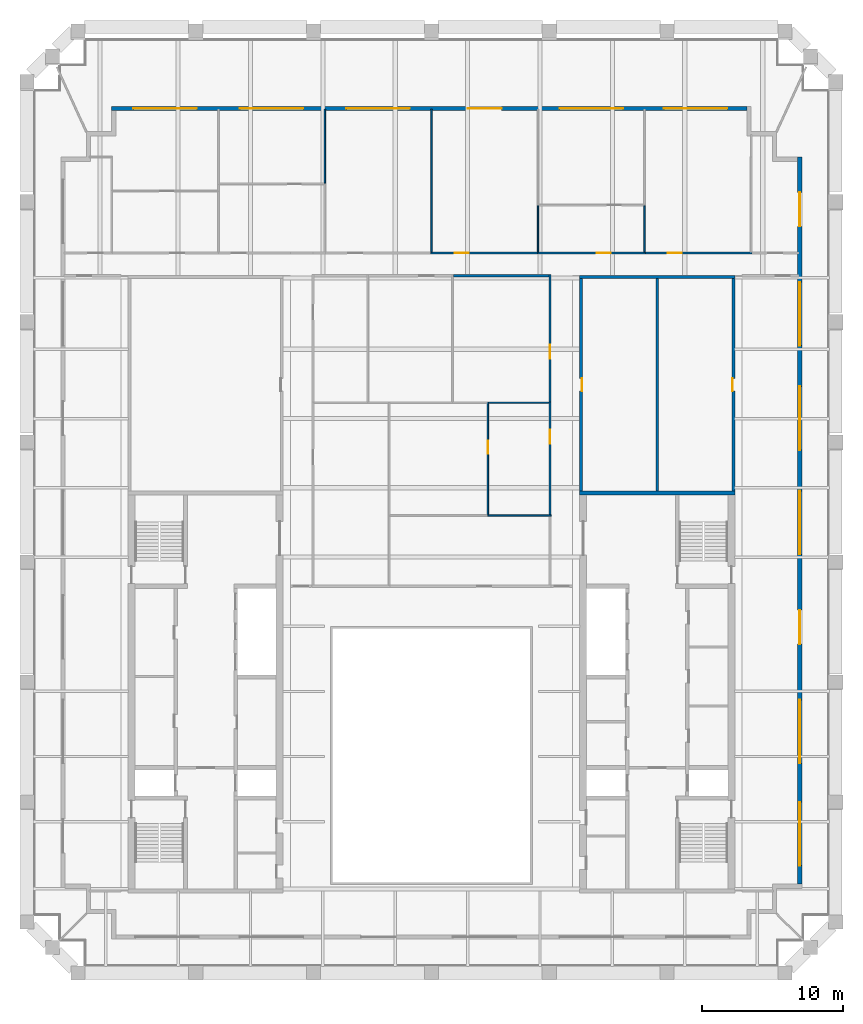
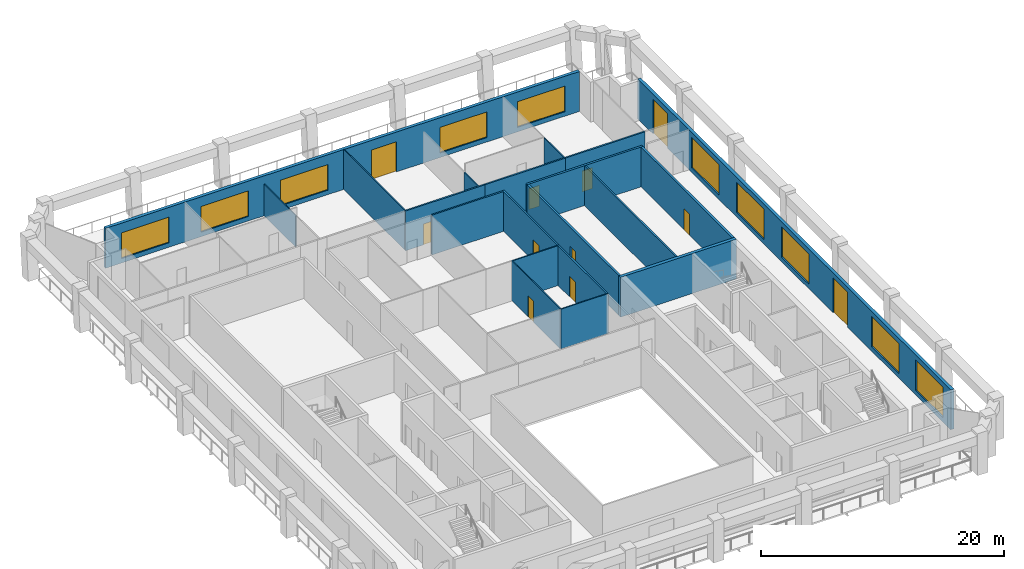
# One storey, part 6 of 8: 20 walls, 11 doors, 10 windows, 21 openings.
"""IFC4 building model written with IfcOpenShell, lengths in metres."""

from ifc_helpers import new_model, si_unit, direction, frame, frame_2d, origin, place, context, subcontext, project, spatial, rectangle, extrude, material, layer, layer_set, type_object, element, fill, save


model = new_model("IFC4")

# Units and contexts
model_context = context("Model", 3, precision=1e-05, world=origin(), true_north=direction((0.0, 1.0)))
body_context = subcontext(model_context, "Body", "Model", "MODEL_VIEW")
ifc_project = project(units=[si_unit("LENGTHUNIT", "METRE"), si_unit("AREAUNIT", "SQUARE_METRE"), si_unit("VOLUMEUNIT", "CUBIC_METRE"), si_unit("PLANEANGLEUNIT", "RADIAN"), si_unit("MASSUNIT", "GRAM", prefix="KILO")], contexts=[model_context])

# Site, building, storey
site_placement = place(None, origin())
site = spatial("IfcSite", under=ifc_project, at=site_placement, CompositionType="ELEMENT")
building_placement = place(site_placement, origin())
building = spatial("IfcBuilding", under=site, at=building_placement, Name="Ogive Exchange Tower", CompositionType="ELEMENT")
storey_placement = place(building_placement, frame((0.0, 0.0, 334.199951171875)))
storey = spatial("IfcBuildingStorey", under=building, at=storey_placement, Name="L73", CompositionType="ELEMENT", Elevation=334.199951171875)

# Wall
ifc_material_1 = material(Name="Gypsum board partition")
ifc_layer_1 = layer(ifc_material_1, 0.14990234375)
ifc_layer_set_1 = layer_set([ifc_layer_1], Name="Core room partition 150 gypsum")
wall_type_1 = type_object("IfcWallType", Name="Core room partition 150 gypsum", PredefinedType="PARTITIONING", material=ifc_layer_set_1)
wall_1_placement = place(storey_placement, frame((16.0, 25.75, 0.0), z_axis=(0.0, 0.0, 1.0), x_axis=(0.0, 1.0, 0.0)))
element("IfcWall", 1, at=wall_1_placement, inside=storey, type_object=wall_type_1, Name="E annex N column wall", PredefinedType="PARTITIONING", context=body_context, shape_type="SweptSolid", body=[
    extrude(rectangle(XDim=15.050048828125, YDim=0.14990234375, at=frame_2d((7.52490234375, 0.0))), origin(), (0.0, 0.0, 1.0), 4.0),
])

# Wall, opening, door
ifc_material_2 = material(Name="Fire partition EI 60 150")
ifc_layer_2 = layer(ifc_material_2, 0.14990234375)
ifc_layer_set_2 = layer_set([ifc_layer_2], Name="Fire partition EI 60 150")
wall_type_2 = type_object("IfcWallType", Name="Fire partition EI 60 150", PredefinedType="PARTITIONING", material=ifc_layer_set_2)
wall_2_placement = place(storey_placement, frame((-0.050048828125, 42.60009765625, 0.0), z_axis=(0.0, 0.0, 1.0), x_axis=(1.0, 0.0, 0.0)))
wall_2 = element("IfcWall", 2, at=wall_2_placement, inside=storey, type_object=wall_type_2, Name="L73-PWL-030", PredefinedType="PARTITIONING", context=body_context, shape_type="SweptSolid", body=[
    extrude(rectangle(XDim=7.550048828125, YDim=0.14990234375, at=frame_2d((3.77490234375, 0.0))), origin(), (0.0, 0.0, 1.0), 4.0),
])
opening_1_placement = place(wall_2_placement, frame((1.699951171875, 0.0, 0.0)))
opening_1 = element("IfcOpeningElement", 3, at=opening_1_placement, cuts=wall_2, Name="Opening L73-I02", PredefinedType="OPENING", context=body_context, shape_type="SweptSolid", body=[
    extrude(rectangle(XDim=1.0, YDim=2.10009765625, at=frame_2d((0.5, 1.050048828125))), frame((0.0, 0.0849609375, 0.0), z_axis=(0.0, -1.0, 0.0), x_axis=(1.0, 0.0, 0.0)), (0.0, 0.0, 1.0), 0.169921875),
])
ifc_material_3 = material(Name="Fire door FD 30S 1000 x 2100")
door_type_1 = type_object("IfcDoorType", Name="Fire door FD 30S 1000 x 2100", OperationType="NOTDEFINED", PredefinedType="DOOR", material=ifc_material_3)
door_1_placement = place(opening_1_placement, origin())
door_1 = element("IfcDoor", 4, at=door_1_placement, inside=storey, type_object=door_type_1, Name="L73-IDR-002", ObjectType="DT3", OperationType="SINGLE_SWING_RIGHT", OverallHeight=2.10009765625, OverallWidth=1.0, PredefinedType="DOOR", context=body_context, shape_type="SweptSolid", body=[
    extrude(rectangle(XDim=1.0, YDim=2.10009765625, at=frame_2d((0.5, 1.050048828125))), frame((0.0, 0.02490234375, 0.0), z_axis=(0.0, -1.0, 0.0), x_axis=(1.0, 0.0, 0.0)), (0.0, 0.0, 1.0), 0.050048828125),
])
fill(opening_1, door_1)

wall_3_placement = place(storey_placement, frame((7.5, 42.60009765625, 0.0), z_axis=(0.0, 0.0, 1.0), x_axis=(1.0, 0.0, 0.0)))
wall_3 = element("IfcWall", 5, at=wall_3_placement, inside=storey, type_object=wall_type_2, Name="L73-PWL-038", PredefinedType="PARTITIONING", context=body_context, shape_type="SweptSolid", body=[
    extrude(rectangle(XDim=7.64990234375, YDim=0.14990234375, at=frame_2d((3.824951171875, 0.0))), origin(), (0.0, 0.0, 1.0), 4.0),
])
opening_2_placement = place(wall_3_placement, frame((4.199951171875, 0.0, 0.0)))
opening_2 = element("IfcOpeningElement", 6, at=opening_2_placement, cuts=wall_3, Name="Opening L73-I04", PredefinedType="OPENING", context=body_context, shape_type="SweptSolid", body=[
    extrude(rectangle(XDim=1.0, YDim=2.10009765625, at=frame_2d((0.5, 1.050048828125))), frame((0.0, 0.0849609375, 0.0), z_axis=(0.0, -1.0, 0.0), x_axis=(1.0, 0.0, 0.0)), (0.0, 0.0, 1.0), 0.169921875),
])
door_2_placement = place(opening_2_placement, origin())
door_2 = element("IfcDoor", 7, at=door_2_placement, inside=storey, type_object=door_type_1, Name="L73-IDR-004", ObjectType="DT3", OperationType="SINGLE_SWING_LEFT", OverallHeight=2.10009765625, OverallWidth=1.0, PredefinedType="DOOR", context=body_context, shape_type="SweptSolid", body=[
    extrude(rectangle(XDim=1.0, YDim=2.10009765625, at=frame_2d((0.5, 1.050048828125))), frame((0.0, 0.02490234375, 0.0), z_axis=(0.0, -1.0, 0.0), x_axis=(1.0, 0.0, 0.0)), (0.0, 0.0, 1.0), 0.050048828125),
])
fill(opening_2, door_2)

wall_4_placement = place(storey_placement, frame((8.39990234375, 24.050048828125, 0.0), z_axis=(0.0, 0.0, 1.0), x_axis=(0.0, 1.0, 0.0)))
wall_4 = element("IfcWall", 8, at=wall_4_placement, inside=storey, type_object=wall_type_2, Name="L73-PWL-042", PredefinedType="PARTITIONING", context=body_context, shape_type="SweptSolid", body=[
    extrude(rectangle(XDim=8.0, YDim=0.14990234375, at=frame_2d((4.0, 0.0))), origin(), (0.0, 0.0, 1.0), 4.0),
])
opening_3_placement = place(wall_4_placement, frame((5.050048828125, 0.0, 0.0)))
opening_3 = element("IfcOpeningElement", 9, at=opening_3_placement, cuts=wall_4, Name="Opening L73-I16", PredefinedType="OPENING", context=body_context, shape_type="SweptSolid", body=[
    extrude(rectangle(XDim=1.0, YDim=2.10009765625, at=frame_2d((0.5, 1.050048828125))), frame((0.0, 0.0849609375, 0.0), z_axis=(0.0, -1.0, 0.0), x_axis=(1.0, 0.0, 0.0)), (0.0, 0.0, 1.0), 0.169921875),
])
door_3_placement = place(opening_3_placement, origin())
door_3 = element("IfcDoor", 10, at=door_3_placement, inside=storey, type_object=door_type_1, Name="L73-IDR-016", ObjectType="DT3", OperationType="SINGLE_SWING_LEFT", OverallHeight=2.10009765625, OverallWidth=1.0, PredefinedType="DOOR", context=body_context, shape_type="SweptSolid", body=[
    extrude(rectangle(XDim=1.0, YDim=2.10009765625, at=frame_2d((0.5, 1.050048828125))), frame((0.0, 0.02490234375, 0.0), z_axis=(0.0, -1.0, 0.0), x_axis=(1.0, 0.0, 0.0)), (0.0, 0.0, 1.0), 0.050048828125),
])
fill(opening_3, door_3)

wall_5_placement = place(storey_placement, frame((8.39990234375, 32.0, 0.0), z_axis=(0.0, 0.0, 1.0), x_axis=(0.0, 1.0, 0.0)))
wall_5 = element("IfcWall", 11, at=wall_5_placement, inside=storey, type_object=wall_type_2, Name="L73-PWL-044", PredefinedType="PARTITIONING", context=body_context, shape_type="SweptSolid", body=[
    extrude(rectangle(XDim=9.074951171875, YDim=0.14990234375, at=frame_2d((4.53759765625, 0.0))), origin(), (0.0, 0.0, 1.0), 4.0),
])
opening_4_placement = place(wall_5_placement, frame((3.10009765625, 0.0, 0.0)))
opening_4 = element("IfcOpeningElement", 12, at=opening_4_placement, cuts=wall_5, Name="Opening L73-I12", PredefinedType="OPENING", context=body_context, shape_type="SweptSolid", body=[
    extrude(rectangle(XDim=1.0, YDim=2.10009765625, at=frame_2d((0.5, 1.050048828125))), frame((0.0, 0.0849609375, 0.0), z_axis=(0.0, -1.0, 0.0), x_axis=(1.0, 0.0, 0.0)), (0.0, 0.0, 1.0), 0.169921875),
])
door_4_placement = place(opening_4_placement, origin())
door_4 = element("IfcDoor", 13, at=door_4_placement, inside=storey, type_object=door_type_1, Name="L73-IDR-012", ObjectType="DT3", OperationType="SINGLE_SWING_RIGHT", OverallHeight=2.10009765625, OverallWidth=1.0, PredefinedType="DOOR", context=body_context, shape_type="SweptSolid", body=[
    extrude(rectangle(XDim=1.0, YDim=2.10009765625, at=frame_2d((0.5, 1.050048828125))), frame((0.0, 0.02490234375, 0.0), z_axis=(0.0, -1.0, 0.0), x_axis=(1.0, 0.0, 0.0)), (0.0, 0.0, 1.0), 0.050048828125),
])
fill(opening_4, door_4)

# Wall
wall_6_placement = place(storey_placement, frame((8.324951171875, 41.0, 0.0), z_axis=(0.0, 0.0, 1.0), x_axis=(-1.0, 0.0, 0.0)))
element("IfcWall", 14, at=wall_6_placement, inside=storey, type_object=wall_type_2, Name="L73-PWL-045", PredefinedType="PARTITIONING", context=body_context, shape_type="SweptSolid", body=[
    extrude(rectangle(XDim=6.77490234375, YDim=0.14990234375, at=frame_2d((3.387451171875, 0.0))), origin(), (0.0, 0.0, 1.0), 4.0),
])

# Wall, opening, door
wall_7_placement = place(storey_placement, frame((15.14990234375, 42.60009765625, 0.0), z_axis=(0.0, 0.0, 1.0), x_axis=(1.0, 0.0, 0.0)))
wall_7 = element("IfcWall", 15, at=wall_7_placement, inside=storey, type_object=wall_type_2, Name="L73-PWL-046", PredefinedType="PARTITIONING", context=body_context, shape_type="SweptSolid", body=[
    extrude(rectangle(XDim=7.550048828125, YDim=0.14990234375, at=frame_2d((3.77490234375, 0.0))), origin(), (0.0, 0.0, 1.0), 4.0),
])
opening_5_placement = place(wall_7_placement, frame((1.60009765625, 0.0, 0.0)))
opening_5 = element("IfcOpeningElement", 16, at=opening_5_placement, cuts=wall_7, Name="Opening L73-I06", PredefinedType="OPENING", context=body_context, shape_type="SweptSolid", body=[
    extrude(rectangle(XDim=1.0, YDim=2.10009765625, at=frame_2d((0.5, 1.050048828125))), frame((0.0, 0.0849609375, 0.0), z_axis=(0.0, -1.0, 0.0), x_axis=(1.0, 0.0, 0.0)), (0.0, 0.0, 1.0), 0.169921875),
])
door_5_placement = place(opening_5_placement, origin())
door_5 = element("IfcDoor", 17, at=door_5_placement, inside=storey, type_object=door_type_1, Name="L73-IDR-006", ObjectType="DT3", OperationType="SINGLE_SWING_RIGHT", OverallHeight=2.10009765625, OverallWidth=1.0, PredefinedType="DOOR", context=body_context, shape_type="SweptSolid", body=[
    extrude(rectangle(XDim=1.0, YDim=2.10009765625, at=frame_2d((0.5, 1.050048828125))), frame((0.0, 0.02490234375, 0.0), z_axis=(0.0, -1.0, 0.0), x_axis=(1.0, 0.0, 0.0)), (0.0, 0.0, 1.0), 0.050048828125),
])
fill(opening_5, door_5)

# Wall, openings, doors, windows
ifc_material_4 = material(Name="Precast concrete C40/50", Category="concrete")
ifc_layer_3 = layer(ifc_material_4, 0.300048828125)
ifc_layer_set_3 = layer_set([ifc_layer_3], Name="Limestone-faced wall 300")
wall_type_3 = type_object("IfcWallType", Name="Limestone-faced wall 300", PredefinedType="STANDARD", material=ifc_layer_set_3)
wall_8_placement = place(storey_placement, frame((26.10009765625, -2.10009765625, 0.0), z_axis=(0.0, 0.0, 1.0), x_axis=(0.0, 1.0, 0.0)))
wall_8 = element("IfcWall", 18, at=wall_8_placement, inside=storey, type_object=wall_type_3, Name="External wall E2", PredefinedType="STANDARD", context=body_context, shape_type="SweptSolid", body=[
    extrude(rectangle(XDim=51.5, YDim=0.300048828125, at=frame_2d((25.75, 0.0))), origin(), (0.0, 0.0, 1.0), 4.0),
])
opening_6_placement = place(wall_8_placement, frame((1.300048828125, 0.0, 0.449951171875)))
opening_6 = element("IfcOpeningElement", 19, at=opening_6_placement, cuts=wall_8, Name="Opening W1", PredefinedType="OPENING", context=body_context, shape_type="SweptSolid", body=[
    extrude(rectangle(XDim=4.5, YDim=3.050048828125, at=frame_2d((2.25, 1.52490234375))), frame((0.0, 0.159912109375, 0.0), z_axis=(0.0, -1.0, 0.0), x_axis=(1.0, 0.0, 0.0)), (0.0, 0.0, 1.0), 0.320068359375),
])
opening_7_placement = place(wall_8_placement, frame((8.550048828125, 0.0, 0.449951171875)))
opening_7 = element("IfcOpeningElement", 20, at=opening_7_placement, cuts=wall_8, Name="Opening W1", PredefinedType="OPENING", context=body_context, shape_type="SweptSolid", body=[
    extrude(rectangle(XDim=4.5, YDim=3.050048828125, at=frame_2d((2.25, 1.52490234375))), frame((0.0, 0.159912109375, 0.0), z_axis=(0.0, -1.0, 0.0), x_axis=(1.0, 0.0, 0.0)), (0.0, 0.0, 1.0), 0.320068359375),
])
opening_8_placement = place(wall_8_placement, frame((17.0, 0.0, 0.0)))
opening_8 = element("IfcOpeningElement", 21, at=opening_8_placement, cuts=wall_8, Name="Opening D1", PredefinedType="OPENING", context=body_context, shape_type="SweptSolid", body=[
    extrude(rectangle(XDim=2.39990234375, YDim=3.5, at=frame_2d((1.199951171875, 1.75))), frame((0.0, 0.159912109375, 0.0), z_axis=(0.0, -1.0, 0.0), x_axis=(1.0, 0.0, 0.0)), (0.0, 0.0, 1.0), 0.320068359375),
])
opening_9_placement = place(wall_8_placement, frame((23.35009765625, 0.0, 0.449951171875)))
opening_9 = element("IfcOpeningElement", 22, at=opening_9_placement, cuts=wall_8, Name="Opening W1", PredefinedType="OPENING", context=body_context, shape_type="SweptSolid", body=[
    extrude(rectangle(XDim=4.5, YDim=3.050048828125, at=frame_2d((2.25, 1.52490234375))), frame((0.0, 0.159912109375, 0.0), z_axis=(0.0, -1.0, 0.0), x_axis=(1.0, 0.0, 0.0)), (0.0, 0.0, 1.0), 0.320068359375),
])
opening_10_placement = place(wall_8_placement, frame((30.75, 0.0, 0.449951171875)))
opening_10 = element("IfcOpeningElement", 23, at=opening_10_placement, cuts=wall_8, Name="Opening W1", PredefinedType="OPENING", context=body_context, shape_type="SweptSolid", body=[
    extrude(rectangle(XDim=4.5, YDim=3.050048828125, at=frame_2d((2.25, 1.52490234375))), frame((0.0, 0.159912109375, 0.0), z_axis=(0.0, -1.0, 0.0), x_axis=(1.0, 0.0, 0.0)), (0.0, 0.0, 1.0), 0.320068359375),
])
opening_11_placement = place(wall_8_placement, frame((38.14990234375, 0.0, 0.449951171875)))
opening_11 = element("IfcOpeningElement", 24, at=opening_11_placement, cuts=wall_8, Name="Opening W1", PredefinedType="OPENING", context=body_context, shape_type="SweptSolid", body=[
    extrude(rectangle(XDim=4.5, YDim=3.050048828125, at=frame_2d((2.25, 1.52490234375))), frame((0.0, 0.159912109375, 0.0), z_axis=(0.0, -1.0, 0.0), x_axis=(1.0, 0.0, 0.0)), (0.0, 0.0, 1.0), 0.320068359375),
])
opening_12_placement = place(wall_8_placement, frame((46.60009765625, 0.0, 0.0)))
opening_12 = element("IfcOpeningElement", 25, at=opening_12_placement, cuts=wall_8, Name="Opening D1", PredefinedType="OPENING", context=body_context, shape_type="SweptSolid", body=[
    extrude(rectangle(XDim=2.39990234375, YDim=3.5, at=frame_2d((1.199951171875, 1.75))), frame((0.0, 0.159912109375, 0.0), z_axis=(0.0, -1.0, 0.0), x_axis=(1.0, 0.0, 0.0)), (0.0, 0.0, 1.0), 0.320068359375),
])
ifc_material_5 = material(Name="Clear glass in bronze frame", Category="glass")
door_type_2 = type_object("IfcDoorType", Name="Sliding loggia door 2400 x 3500", OperationType="DOUBLE_DOOR_SLIDING", PredefinedType="DOOR", material=ifc_material_5)
door_6_placement = place(opening_8_placement, origin())
door_6 = element("IfcDoor", 26, at=door_6_placement, inside=storey, type_object=door_type_2, Name="Loggia door E02", OperationType="DOUBLE_DOOR_SLIDING", OverallHeight=3.5, OverallWidth=2.39990234375, PredefinedType="DOOR", context=body_context, shape_type="SweptSolid", body=[
    extrude(rectangle(XDim=2.39990234375, YDim=3.5, at=frame_2d((1.199951171875, 1.75))), frame((0.0, 0.02490234375, 0.0), z_axis=(0.0, -1.0, 0.0), x_axis=(1.0, 0.0, 0.0)), (0.0, 0.0, 1.0), 0.050048828125),
])
fill(opening_8, door_6)
door_7_placement = place(opening_12_placement, origin())
door_7 = element("IfcDoor", 27, at=door_7_placement, inside=storey, type_object=door_type_2, Name="Loggia door E06", OperationType="DOUBLE_DOOR_SLIDING", OverallHeight=3.5, OverallWidth=2.39990234375, PredefinedType="DOOR", context=body_context, shape_type="SweptSolid", body=[
    extrude(rectangle(XDim=2.39990234375, YDim=3.5, at=frame_2d((1.199951171875, 1.75))), frame((0.0, 0.02490234375, 0.0), z_axis=(0.0, -1.0, 0.0), x_axis=(1.0, 0.0, 0.0)), (0.0, 0.0, 1.0), 0.050048828125),
])
fill(opening_12, door_7)
window_type_1 = type_object("IfcWindowType", Name="Twin lancet window 4500 x 3050", PartitioningType="DOUBLE_PANEL_VERTICAL", PredefinedType="WINDOW", material=ifc_material_5)
window_1_placement = place(opening_6_placement, origin())
window_1 = element("IfcWindow", 28, at=window_1_placement, inside=storey, type_object=window_type_1, Name="Window E00", OverallHeight=3.050048828125, OverallWidth=4.5, PartitioningType="DOUBLE_PANEL_VERTICAL", PredefinedType="WINDOW", context=body_context, shape_type="SweptSolid", body=[
    extrude(rectangle(XDim=4.5, YDim=3.050048828125, at=frame_2d((2.25, 1.52490234375))), frame((0.0, 0.030029296875, 0.0), z_axis=(0.0, -1.0, 0.0), x_axis=(1.0, 0.0, 0.0)), (0.0, 0.0, 1.0), 0.06005859375),
])
fill(opening_6, window_1)
window_2_placement = place(opening_7_placement, origin())
window_2 = element("IfcWindow", 29, at=window_2_placement, inside=storey, type_object=window_type_1, Name="Window E01", OverallHeight=3.050048828125, OverallWidth=4.5, PartitioningType="DOUBLE_PANEL_VERTICAL", PredefinedType="WINDOW", context=body_context, shape_type="SweptSolid", body=[
    extrude(rectangle(XDim=4.5, YDim=3.050048828125, at=frame_2d((2.25, 1.52490234375))), frame((0.0, 0.030029296875, 0.0), z_axis=(0.0, -1.0, 0.0), x_axis=(1.0, 0.0, 0.0)), (0.0, 0.0, 1.0), 0.06005859375),
])
fill(opening_7, window_2)
window_3_placement = place(opening_9_placement, origin())
window_3 = element("IfcWindow", 30, at=window_3_placement, inside=storey, type_object=window_type_1, Name="Window E03", OverallHeight=3.050048828125, OverallWidth=4.5, PartitioningType="DOUBLE_PANEL_VERTICAL", PredefinedType="WINDOW", context=body_context, shape_type="SweptSolid", body=[
    extrude(rectangle(XDim=4.5, YDim=3.050048828125, at=frame_2d((2.25, 1.52490234375))), frame((0.0, 0.030029296875, 0.0), z_axis=(0.0, -1.0, 0.0), x_axis=(1.0, 0.0, 0.0)), (0.0, 0.0, 1.0), 0.06005859375),
])
fill(opening_9, window_3)
window_4_placement = place(opening_10_placement, origin())
window_4 = element("IfcWindow", 31, at=window_4_placement, inside=storey, type_object=window_type_1, Name="Window E04", OverallHeight=3.050048828125, OverallWidth=4.5, PartitioningType="DOUBLE_PANEL_VERTICAL", PredefinedType="WINDOW", context=body_context, shape_type="SweptSolid", body=[
    extrude(rectangle(XDim=4.5, YDim=3.050048828125, at=frame_2d((2.25, 1.52490234375))), frame((0.0, 0.030029296875, 0.0), z_axis=(0.0, -1.0, 0.0), x_axis=(1.0, 0.0, 0.0)), (0.0, 0.0, 1.0), 0.06005859375),
])
fill(opening_10, window_4)
window_5_placement = place(opening_11_placement, origin())
window_5 = element("IfcWindow", 32, at=window_5_placement, inside=storey, type_object=window_type_1, Name="Window E05", OverallHeight=3.050048828125, OverallWidth=4.5, PartitioningType="DOUBLE_PANEL_VERTICAL", PredefinedType="WINDOW", context=body_context, shape_type="SweptSolid", body=[
    extrude(rectangle(XDim=4.5, YDim=3.050048828125, at=frame_2d((2.25, 1.52490234375))), frame((0.0, 0.030029296875, 0.0), z_axis=(0.0, -1.0, 0.0), x_axis=(1.0, 0.0, 0.0)), (0.0, 0.0, 1.0), 0.06005859375),
])
fill(opening_11, window_5)

# Wall, openings, door, windows
wall_9_placement = place(storey_placement, frame((22.35009765625, 52.85009765625, 0.0), z_axis=(0.0, 0.0, 1.0), x_axis=(-1.0, 0.0, 0.0)))
wall_9 = element("IfcWall", 33, at=wall_9_placement, inside=storey, type_object=wall_type_3, Name="External wall N3", PredefinedType="STANDARD", context=body_context, shape_type="SweptSolid", body=[
    extrude(rectangle(XDim=45.0, YDim=0.300048828125, at=frame_2d((22.5, 0.0))), origin(), (0.0, 0.0, 1.0), 4.0),
])
opening_13_placement = place(wall_9_placement, frame((1.375, 0.0, 0.449951171875)))
opening_13 = element("IfcOpeningElement", 34, at=opening_13_placement, cuts=wall_9, Name="Opening W1M", PredefinedType="OPENING", context=body_context, shape_type="SweptSolid", body=[
    extrude(rectangle(XDim=4.5, YDim=2.574951171875, at=frame_2d((2.25, 1.28759765625))), frame((0.0, 0.159912109375, 0.0), z_axis=(0.0, -1.0, 0.0), x_axis=(1.0, 0.0, 0.0)), (0.0, 0.0, 1.0), 0.320068359375),
])
opening_14_placement = place(wall_9_placement, frame((8.77490234375, 0.0, 0.449951171875)))
opening_14 = element("IfcOpeningElement", 35, at=opening_14_placement, cuts=wall_9, Name="Opening W1M", PredefinedType="OPENING", context=body_context, shape_type="SweptSolid", body=[
    extrude(rectangle(XDim=4.5, YDim=2.574951171875, at=frame_2d((2.25, 1.28759765625))), frame((0.0, 0.159912109375, 0.0), z_axis=(0.0, -1.0, 0.0), x_axis=(1.0, 0.0, 0.0)), (0.0, 0.0, 1.0), 0.320068359375),
])
opening_15_placement = place(wall_9_placement, frame((17.375, 0.0, 0.0)))
opening_15 = element("IfcOpeningElement", 36, at=opening_15_placement, cuts=wall_9, Name="Opening D1M", PredefinedType="OPENING", context=body_context, shape_type="SweptSolid", body=[
    extrude(rectangle(XDim=2.39990234375, YDim=3.02490234375, at=frame_2d((1.199951171875, 1.512451171875))), frame((0.0, 0.159912109375, 0.0), z_axis=(0.0, -1.0, 0.0), x_axis=(1.0, 0.0, 0.0)), (0.0, 0.0, 1.0), 0.320068359375),
])
opening_16_placement = place(wall_9_placement, frame((23.875, 0.0, 0.449951171875)))
opening_16 = element("IfcOpeningElement", 37, at=opening_16_placement, cuts=wall_9, Name="Opening W1M", PredefinedType="OPENING", context=body_context, shape_type="SweptSolid", body=[
    extrude(rectangle(XDim=4.5, YDim=2.574951171875, at=frame_2d((2.25, 1.28759765625))), frame((0.0, 0.159912109375, 0.0), z_axis=(0.0, -1.0, 0.0), x_axis=(1.0, 0.0, 0.0)), (0.0, 0.0, 1.0), 0.320068359375),
])
opening_17_placement = place(wall_9_placement, frame((31.425048828125, 0.0, 0.449951171875)))
opening_17 = element("IfcOpeningElement", 38, at=opening_17_placement, cuts=wall_9, Name="Opening W1M", PredefinedType="OPENING", context=body_context, shape_type="SweptSolid", body=[
    extrude(rectangle(XDim=4.5, YDim=2.574951171875, at=frame_2d((2.25, 1.28759765625))), frame((0.0, 0.159912109375, 0.0), z_axis=(0.0, -1.0, 0.0), x_axis=(1.0, 0.0, 0.0)), (0.0, 0.0, 1.0), 0.320068359375),
])
opening_18_placement = place(wall_9_placement, frame((38.97509765625, 0.0, 0.449951171875)))
opening_18 = element("IfcOpeningElement", 39, at=opening_18_placement, cuts=wall_9, Name="Opening W1M", PredefinedType="OPENING", context=body_context, shape_type="SweptSolid", body=[
    extrude(rectangle(XDim=4.5, YDim=2.574951171875, at=frame_2d((2.25, 1.28759765625))), frame((0.0, 0.159912109375, 0.0), z_axis=(0.0, -1.0, 0.0), x_axis=(1.0, 0.0, 0.0)), (0.0, 0.0, 1.0), 0.320068359375),
])
door_type_3 = type_object("IfcDoorType", Name="Sliding loggia door 2400 x 3025", OperationType="DOUBLE_DOOR_SLIDING", PredefinedType="DOOR", material=ifc_material_5)
door_8_placement = place(opening_15_placement, origin())
door_8 = element("IfcDoor", 40, at=door_8_placement, inside=storey, type_object=door_type_3, Name="Loggia door N02", OperationType="DOUBLE_DOOR_SLIDING", OverallHeight=3.02490234375, OverallWidth=2.39990234375, PredefinedType="DOOR", context=body_context, shape_type="SweptSolid", body=[
    extrude(rectangle(XDim=2.39990234375, YDim=3.02490234375, at=frame_2d((1.199951171875, 1.512451171875))), frame((0.0, 0.02490234375, 0.0), z_axis=(0.0, -1.0, 0.0), x_axis=(1.0, 0.0, 0.0)), (0.0, 0.0, 1.0), 0.050048828125),
])
fill(opening_15, door_8)
window_type_2 = type_object("IfcWindowType", Name="Twin lancet window 4500 x 2575", PartitioningType="DOUBLE_PANEL_VERTICAL", PredefinedType="WINDOW", material=ifc_material_5)
window_6_placement = place(opening_13_placement, origin())
window_6 = element("IfcWindow", 41, at=window_6_placement, inside=storey, type_object=window_type_2, Name="Window N00", OverallHeight=2.574951171875, OverallWidth=4.5, PartitioningType="DOUBLE_PANEL_VERTICAL", PredefinedType="WINDOW", context=body_context, shape_type="SweptSolid", body=[
    extrude(rectangle(XDim=4.5, YDim=2.574951171875, at=frame_2d((2.25, 1.28759765625))), frame((0.0, 0.030029296875, 0.0), z_axis=(0.0, -1.0, 0.0), x_axis=(1.0, 0.0, 0.0)), (0.0, 0.0, 1.0), 0.06005859375),
])
fill(opening_13, window_6)
window_7_placement = place(opening_14_placement, origin())
window_7 = element("IfcWindow", 42, at=window_7_placement, inside=storey, type_object=window_type_2, Name="Window N01", OverallHeight=2.574951171875, OverallWidth=4.5, PartitioningType="DOUBLE_PANEL_VERTICAL", PredefinedType="WINDOW", context=body_context, shape_type="SweptSolid", body=[
    extrude(rectangle(XDim=4.5, YDim=2.574951171875, at=frame_2d((2.25, 1.28759765625))), frame((0.0, 0.030029296875, 0.0), z_axis=(0.0, -1.0, 0.0), x_axis=(1.0, 0.0, 0.0)), (0.0, 0.0, 1.0), 0.06005859375),
])
fill(opening_14, window_7)
window_8_placement = place(opening_16_placement, origin())
window_8 = element("IfcWindow", 43, at=window_8_placement, inside=storey, type_object=window_type_2, Name="Window N03", OverallHeight=2.574951171875, OverallWidth=4.5, PartitioningType="DOUBLE_PANEL_VERTICAL", PredefinedType="WINDOW", context=body_context, shape_type="SweptSolid", body=[
    extrude(rectangle(XDim=4.5, YDim=2.574951171875, at=frame_2d((2.25, 1.28759765625))), frame((0.0, 0.030029296875, 0.0), z_axis=(0.0, -1.0, 0.0), x_axis=(1.0, 0.0, 0.0)), (0.0, 0.0, 1.0), 0.06005859375),
])
fill(opening_16, window_8)
window_9_placement = place(opening_17_placement, origin())
window_9 = element("IfcWindow", 44, at=window_9_placement, inside=storey, type_object=window_type_2, Name="Window N04", OverallHeight=2.574951171875, OverallWidth=4.5, PartitioningType="DOUBLE_PANEL_VERTICAL", PredefinedType="WINDOW", context=body_context, shape_type="SweptSolid", body=[
    extrude(rectangle(XDim=4.5, YDim=2.574951171875, at=frame_2d((2.25, 1.28759765625))), frame((0.0, 0.030029296875, 0.0), z_axis=(0.0, -1.0, 0.0), x_axis=(1.0, 0.0, 0.0)), (0.0, 0.0, 1.0), 0.06005859375),
])
fill(opening_17, window_9)
window_10_placement = place(opening_18_placement, origin())
window_10 = element("IfcWindow", 45, at=window_10_placement, inside=storey, type_object=window_type_2, Name="Window N05", OverallHeight=2.574951171875, OverallWidth=4.5, PartitioningType="DOUBLE_PANEL_VERTICAL", PredefinedType="WINDOW", context=body_context, shape_type="SweptSolid", body=[
    extrude(rectangle(XDim=4.5, YDim=2.574951171875, at=frame_2d((2.25, 1.28759765625))), frame((0.0, 0.030029296875, 0.0), z_axis=(0.0, -1.0, 0.0), x_axis=(1.0, 0.0, 0.0)), (0.0, 0.0, 1.0), 0.06005859375),
])
fill(opening_18, window_10)

# Walls
ifc_material_6 = material(Name="Partition 100 gypsum")
ifc_layer_4 = layer(ifc_material_6, 0.10009765625)
ifc_layer_set_4 = layer_set([ifc_layer_4], Name="Partition 100 gypsum")
wall_type_4 = type_object("IfcWallType", Name="Partition 100 gypsum", PredefinedType="PARTITIONING", material=ifc_layer_set_4)
wall_10_placement = place(storey_placement, frame((-7.550048828125, 47.550048828125, 0.0), z_axis=(0.0, 0.0, 1.0), x_axis=(0.0, 1.0, 0.0)))
element("IfcWall", 46, at=wall_10_placement, inside=storey, type_object=wall_type_4, Name="L73-PWL-021", PredefinedType="PARTITIONING", context=body_context, shape_type="SweptSolid", body=[
    extrude(rectangle(XDim=5.25, YDim=0.10009765625, at=frame_2d((2.625, 0.0))), origin(), (0.0, 0.0, 1.0), 3.1640625),
])
wall_11_placement = place(storey_placement, frame((0.0, 52.800048828125, 0.0), z_axis=(0.0, 0.0, 1.0), x_axis=(0.0, -1.0, 0.0)))
element("IfcWall", 47, at=wall_11_placement, inside=storey, type_object=wall_type_4, Name="L73-PWL-031", PredefinedType="PARTITIONING", context=body_context, shape_type="SweptSolid", body=[
    extrude(rectangle(XDim=10.125, YDim=0.10009765625, at=frame_2d((5.0625, 0.0))), origin(), (0.0, 0.0, 1.0), 4.0),
])

# Wall, opening, door
wall_12_placement = place(storey_placement, frame((4.0, 24.050048828125, 0.0), z_axis=(0.0, 0.0, 1.0), x_axis=(0.0, 1.0, 0.0)))
wall_12 = element("IfcWall", 48, at=wall_12_placement, inside=storey, type_object=wall_type_4, Name="L73-PWL-035", PredefinedType="PARTITIONING", context=body_context, shape_type="SweptSolid", body=[
    extrude(rectangle(XDim=8.0, YDim=0.10009765625, at=frame_2d((4.0, 0.0))), origin(), (0.0, 0.0, 1.0), 4.0),
])
opening_19_placement = place(wall_12_placement, frame((4.35009765625, 0.0, 0.0)))
opening_19 = element("IfcOpeningElement", 49, at=opening_19_placement, cuts=wall_12, Name="Opening L73-I17", PredefinedType="OPENING", context=body_context, shape_type="SweptSolid", body=[
    extrude(rectangle(XDim=0.89990234375, YDim=2.10009765625, at=frame_2d((0.449951171875, 1.050048828125))), frame((0.0, 0.06005859375, 0.0), z_axis=(0.0, -1.0, 0.0), x_axis=(1.0, 0.0, 0.0)), (0.0, 0.0, 1.0), 0.1201171875),
])
ifc_material_7 = material(Name="Door 900 x 2100")
door_type_4 = type_object("IfcDoorType", Name="Door 900 x 2100", OperationType="NOTDEFINED", PredefinedType="DOOR", material=ifc_material_7)
door_9_placement = place(opening_19_placement, frame((0.89990234375, 0.0, 0.0), z_axis=(0.0, 0.0, 1.0), x_axis=(-1.0, 0.0, 0.0)))
door_9 = element("IfcDoor", 50, at=door_9_placement, inside=storey, type_object=door_type_4, Name="L73-IDR-017", ObjectType="DT1", OperationType="SINGLE_SWING_RIGHT", OverallHeight=2.10009765625, OverallWidth=0.89990234375, PredefinedType="DOOR", context=body_context, shape_type="SweptSolid", body=[
    extrude(rectangle(XDim=0.89990234375, YDim=2.10009765625, at=frame_2d((0.449951171875, 1.050048828125))), frame((0.0, 0.02490234375, 0.0), z_axis=(0.0, -1.0, 0.0), x_axis=(1.0, 0.0, 0.0)), (0.0, 0.0, 1.0), 0.050048828125),
])
fill(opening_19, door_9)

# Walls
wall_13_placement = place(storey_placement, frame((4.0, 24.0, 0.0), z_axis=(0.0, 0.0, 1.0), x_axis=(1.0, 0.0, 0.0)))
element("IfcWall", 51, at=wall_13_placement, inside=storey, type_object=wall_type_4, Name="L73-PWL-036", PredefinedType="PARTITIONING", context=body_context, shape_type="SweptSolid", body=[
    extrude(rectangle(XDim=4.47509765625, YDim=0.10009765625, at=frame_2d((2.237548828125, 0.0))), origin(), (0.0, 0.0, 1.0), 4.0),
])
wall_14_placement = place(storey_placement, frame((7.550048828125, 45.949951171875, 0.0), z_axis=(0.0, 0.0, 1.0), x_axis=(0.0, -1.0, 0.0)))
element("IfcWall", 52, at=wall_14_placement, inside=storey, type_object=wall_type_4, Name="L73-PWL-039", PredefinedType="PARTITIONING", context=body_context, shape_type="SweptSolid", body=[
    extrude(rectangle(XDim=3.27490234375, YDim=0.10009765625, at=frame_2d((1.637451171875, 0.0))), origin(), (0.0, 0.0, 1.0), 3.1640625),
])
wall_15_placement = place(storey_placement, frame((8.324951171875, 32.0, 0.0), z_axis=(0.0, 0.0, 1.0), x_axis=(-1.0, 0.0, 0.0)))
element("IfcWall", 53, at=wall_15_placement, inside=storey, type_object=wall_type_4, Name="L73-PWL-043", PredefinedType="PARTITIONING", context=body_context, shape_type="SweptSolid", body=[
    extrude(rectangle(XDim=4.27490234375, YDim=0.10009765625, at=frame_2d((2.137451171875, 0.0))), origin(), (0.0, 0.0, 1.0), 4.0),
])
wall_16_placement = place(storey_placement, frame((15.10009765625, 45.949951171875, 0.0), z_axis=(0.0, 0.0, 1.0), x_axis=(0.0, -1.0, 0.0)))
element("IfcWall", 54, at=wall_16_placement, inside=storey, type_object=wall_type_4, Name="L73-PWL-048", PredefinedType="PARTITIONING", context=body_context, shape_type="SweptSolid", body=[
    extrude(rectangle(XDim=3.27490234375, YDim=0.10009765625, at=frame_2d((1.637451171875, 0.0))), origin(), (0.0, 0.0, 1.0), 4.0),
])

# Wall, opening, door
ifc_material_8 = material(Name="Concrete C70/85", Category="concrete")
ifc_layer_5 = layer(ifc_material_8, 0.199951171875)
ifc_layer_set_5 = layer_set([ifc_layer_5], Name="RC core wall 200 C70/85")
wall_type_5 = type_object("IfcWallType", Name="RC core wall 200 C70/85", PredefinedType="SHEAR", material=ifc_layer_set_5)
wall_17_placement = place(storey_placement, frame((21.39990234375, 25.75, 0.0), z_axis=(0.0, 0.0, 1.0), x_axis=(0.0, 1.0, 0.0)))
wall_17 = element("IfcWall", 55, at=wall_17_placement, inside=storey, type_object=wall_type_5, Name="E annex N outer wall", PredefinedType="SHEAR", context=body_context, shape_type="SweptSolid", body=[
    extrude(rectangle(XDim=15.050048828125, YDim=0.199951171875, at=frame_2d((7.52490234375, 0.0))), origin(), (0.0, 0.0, 1.0), 4.0),
])
opening_20_placement = place(wall_17_placement, frame((7.074951171875, 0.0, 0.0)))
opening_20 = element("IfcOpeningElement", 56, at=opening_20_placement, cuts=wall_17, Name="Opening L73-C36", PredefinedType="OPENING", context=body_context, shape_type="SweptSolid", body=[
    extrude(rectangle(XDim=0.89990234375, YDim=2.10009765625, at=frame_2d((0.449951171875, 1.050048828125))), frame((0.0, 0.10986328125, 0.0), z_axis=(0.0, -1.0, 0.0), x_axis=(1.0, 0.0, 0.0)), (0.0, 0.0, 1.0), 0.219970703125),
])
ifc_material_9 = material(Name="Timber fire door", Category="wood")
door_type_5 = type_object("IfcDoorType", Name="Core room door FD30S 900 x 2100", OperationType="NOTDEFINED", PredefinedType="DOOR", material=ifc_material_9)
door_10_placement = place(opening_20_placement, frame((0.89990234375, 0.14990234375, 0.0), z_axis=(0.0, 0.0, 1.0), x_axis=(-1.0, 0.0, 0.0)))
door_10 = element("IfcDoor", 57, at=door_10_placement, inside=storey, type_object=door_type_5, Name="Core room door", ObjectType="CD6", OperationType="SINGLE_SWING_RIGHT", OverallHeight=2.10009765625, OverallWidth=0.89990234375, PredefinedType="DOOR", context=body_context, shape_type="SweptSolid", body=[
    extrude(rectangle(XDim=0.89990234375, YDim=2.10009765625, at=frame_2d((0.449951171875, 1.050048828125))), frame((0.0, 0.10009765625, 0.0), z_axis=(0.0, -1.0, 0.0), x_axis=(1.0, 0.0, 0.0)), (0.0, 0.0, 1.0), 0.050048828125),
])
fill(opening_20, door_10)

wall_18_placement = place(storey_placement, frame((10.60009765625, 25.75, 0.0), z_axis=(0.0, 0.0, 1.0), x_axis=(0.0, 1.0, 0.0)))
wall_18 = element("IfcWall", 58, at=wall_18_placement, inside=storey, type_object=wall_type_5, Name="E annex N inner wall", PredefinedType="SHEAR", context=body_context, shape_type="SweptSolid", body=[
    extrude(rectangle(XDim=15.050048828125, YDim=0.199951171875, at=frame_2d((7.52490234375, 0.0))), origin(), (0.0, 0.0, 1.0), 4.0),
])
opening_21_placement = place(wall_18_placement, frame((7.074951171875, 0.0, 0.0)))
opening_21 = element("IfcOpeningElement", 59, at=opening_21_placement, cuts=wall_18, Name="Opening L73-C37", PredefinedType="OPENING", context=body_context, shape_type="SweptSolid", body=[
    extrude(rectangle(XDim=0.89990234375, YDim=2.10009765625, at=frame_2d((0.449951171875, 1.050048828125))), frame((0.0, 0.10986328125, 0.0), z_axis=(0.0, -1.0, 0.0), x_axis=(1.0, 0.0, 0.0)), (0.0, 0.0, 1.0), 0.219970703125),
])
door_11_placement = place(opening_21_placement, origin())
door_11 = element("IfcDoor", 60, at=door_11_placement, inside=storey, type_object=door_type_5, Name="Core room door", ObjectType="CD6", OperationType="SINGLE_SWING_LEFT", OverallHeight=2.10009765625, OverallWidth=0.89990234375, PredefinedType="DOOR", context=body_context, shape_type="SweptSolid", body=[
    extrude(rectangle(XDim=0.89990234375, YDim=2.10009765625, at=frame_2d((0.449951171875, 1.050048828125))), frame((0.0, -0.0498046875, 0.0), z_axis=(0.0, -1.0, 0.0), x_axis=(1.0, 0.0, 0.0)), (0.0, 0.0, 1.0), 0.050048828125),
])
fill(opening_21, door_11)

# Walls
wall_19_placement = place(storey_placement, frame((10.5, 40.89990234375, 0.0), z_axis=(0.0, 0.0, 1.0), x_axis=(1.0, 0.0, 0.0)))
element("IfcWall", 61, at=wall_19_placement, inside=storey, type_object=wall_type_5, Name="E annex N end wall", PredefinedType="SHEAR", context=body_context, shape_type="SweptSolid", body=[
    extrude(rectangle(XDim=11.0, YDim=0.199951171875, at=frame_2d((5.5, 0.0))), origin(), (0.0, 0.0, 1.0), 4.0),
])
ifc_layer_6 = layer(ifc_material_8, 0.300048828125)
ifc_layer_set_6 = layer_set([ifc_layer_6], Name="RC core wall 300 C70/85")
wall_type_6 = type_object("IfcWallType", Name="RC core wall 300 C70/85", PredefinedType="SHEAR", material=ifc_layer_set_6)
wall_20_placement = place(storey_placement, frame((10.5, 25.60009765625, 0.0), z_axis=(0.0, 0.0, 1.0), x_axis=(1.0, 0.0, 0.0)))
element("IfcWall", 62, at=wall_20_placement, inside=storey, type_object=wall_type_6, Name="E north end wall", PredefinedType="SHEAR", context=body_context, shape_type="SweptSolid", body=[
    extrude(rectangle(XDim=11.0, YDim=0.300048828125, at=frame_2d((5.5, 0.0))), origin(), (0.0, 0.0, 1.0), 4.0),
])

save(model, "model.ifc")
